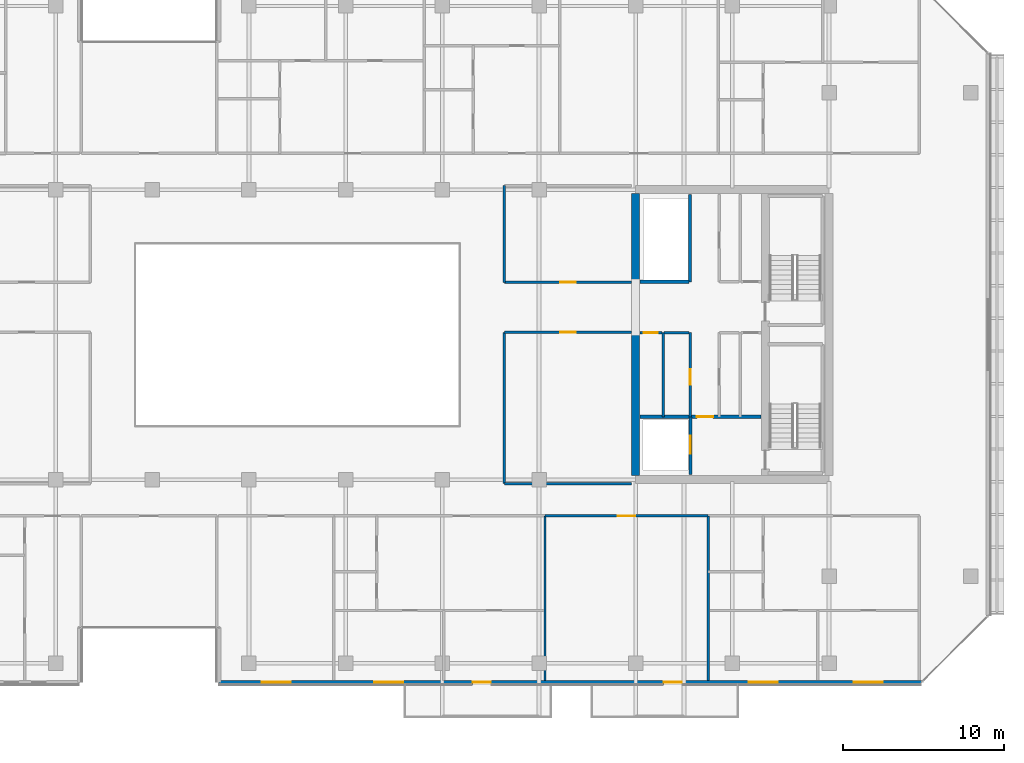
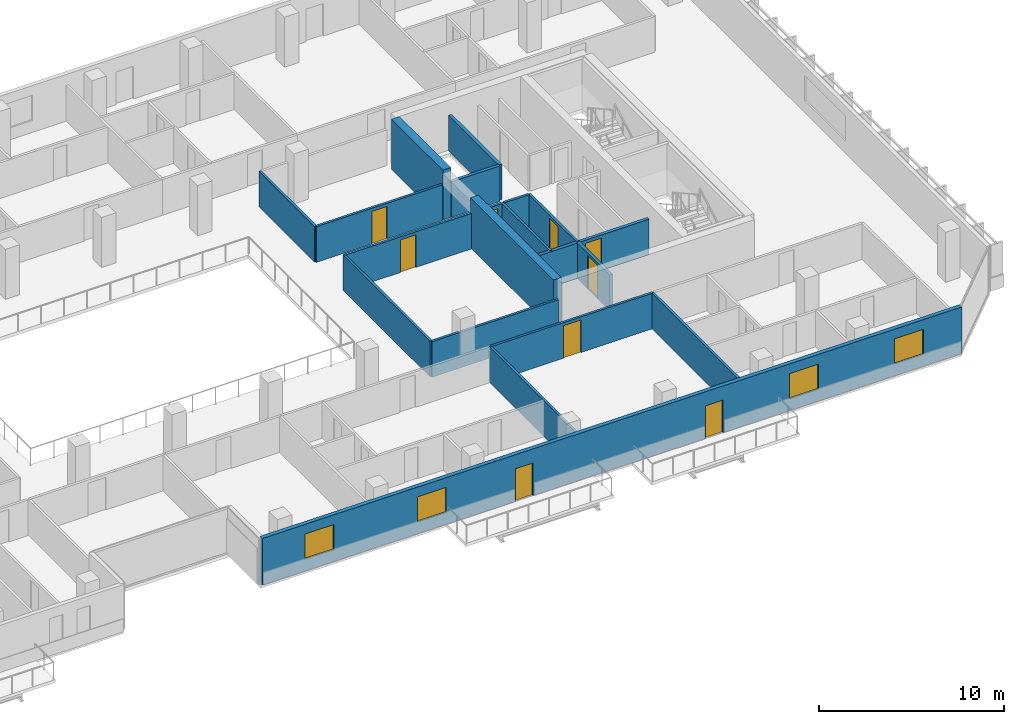
# One storey, part 21 of 29: 19 walls, 9 doors, 4 windows, 13 openings.
"""IFC4 building model written with IfcOpenShell, lengths in metres."""

from ifc_helpers import new_model, si_unit, direction, frame, frame_2d, origin, place, context, subcontext, project, spatial, rectangle, extrude, material, layer, layer_set, type_object, element, fill, save


model = new_model("IFC4")

# Units and contexts
model_context = context("Model", 3, precision=1e-05, world=origin(), true_north=direction((0.0, 1.0)))
body_context = subcontext(model_context, "Body", "Model", "MODEL_VIEW")
ifc_project = project(units=[si_unit("LENGTHUNIT", "METRE"), si_unit("AREAUNIT", "SQUARE_METRE"), si_unit("VOLUMEUNIT", "CUBIC_METRE"), si_unit("PLANEANGLEUNIT", "RADIAN"), si_unit("MASSUNIT", "GRAM", prefix="KILO")], contexts=[model_context])

# Site, building, storey
site_placement = place(None, origin())
site = spatial("IfcSite", under=ifc_project, at=site_placement, CompositionType="ELEMENT")
building_placement = place(site_placement, origin())
building = spatial("IfcBuilding", under=site, at=building_placement, Name="Tanjung Sevakor Pilgrim Tower", CompositionType="ELEMENT")
storey_placement = place(building_placement, frame((0.0, 0.0, 148.5)))
storey = spatial("IfcBuildingStorey", under=building, at=storey_placement, Name="L41", CompositionType="ELEMENT", Elevation=148.5)

# Walls
ifc_material_1 = material(Name="Concrete C60/75", Category="concrete")
ifc_layer_1 = layer(ifc_material_1, 0.5)
ifc_layer_set_1 = layer_set([ifc_layer_1], Name="WALL-CW-500")
wall_type_1 = type_object("IfcWallType", Name="WALL-CW-500", PredefinedType="SHEAR", material=ifc_layer_set_1)
wall_1_placement = place(storey_placement, frame((78.0, 24.85009765625, 0.0), z_axis=(0.0, 0.0, 1.0), x_axis=(0.0, 1.0, 0.0)))
element("IfcWall", 1, at=wall_1_placement, inside=storey, type_object=wall_type_1, Name="L41 E Core Inner Shear Wall South", PredefinedType="SHEAR", context=body_context, shape_type="SweptSolid", body=[
    extrude(rectangle(XDim=8.949951171875, YDim=0.5, at=frame_2d((4.47509765625, 0.0))), origin(), (0.0, 0.0, 1.0), 3.300048828125),
])
wall_2_placement = place(storey_placement, frame((78.0, 36.800048828125, 0.0), z_axis=(0.0, 0.0, 1.0), x_axis=(0.0, 1.0, 0.0)))
element("IfcWall", 2, at=wall_2_placement, inside=storey, type_object=wall_type_1, Name="L41 E Core Inner Shear Wall North", PredefinedType="SHEAR", context=body_context, shape_type="SweptSolid", body=[
    extrude(rectangle(XDim=5.550048828125, YDim=0.5, at=frame_2d((2.77490234375, 0.0))), origin(), (0.0, 0.0, 1.0), 3.300048828125),
])
ifc_material_2 = material(Name="Concrete C40/50", Category="concrete")
ifc_layer_2 = layer(ifc_material_2, 0.14990234375)
ifc_layer_set_2 = layer_set([ifc_layer_2], Name="WT-COMP-150")
wall_type_2 = type_object("IfcWallType", Name="WT-COMP-150", PredefinedType="SOLIDWALL", material=ifc_layer_set_2)
wall_3_placement = place(storey_placement, frame((79.699951171875, 28.5, 0.0), z_axis=(0.0, 0.0, 1.0), x_axis=(0.0, 1.0, 0.0)))
element("IfcWall", 3, at=wall_3_placement, inside=storey, type_object=wall_type_2, Name="L41 Partition IW-L41-023", PredefinedType="SOLIDWALL", context=body_context, shape_type="SweptSolid", body=[
    extrude(rectangle(XDim=5.219970703125, YDim=0.14990234375, at=frame_2d((2.60986328125, 0.0))), origin(), (0.0, 0.0, 1.0), 2.35009765625),
])
wall_4_placement = place(storey_placement, frame((79.760009765625, 33.719970703125, 0.0), z_axis=(0.0, 0.0, 1.0), x_axis=(1.0, 0.0, 0.0)))
element("IfcWall", 4, at=wall_4_placement, inside=storey, type_object=wall_type_2, Name="L41 Partition IW-L41-024", PredefinedType="SOLIDWALL", context=body_context, shape_type="SweptSolid", body=[
    extrude(rectangle(XDim=1.56005859375, YDim=0.14990234375, at=frame_2d((0.780029296875, 0.0))), origin(), (0.0, 0.0, 1.0), 2.35009765625),
])

# Wall, opening, door
wall_5_placement = place(storey_placement, frame((78.27001953125, 33.719970703125, 0.0), z_axis=(0.0, 0.0, 1.0), x_axis=(1.0, 0.0, 0.0)))
wall_5 = element("IfcWall", 5, at=wall_5_placement, inside=storey, type_object=wall_type_2, Name="L41 Partition IW-L41-025", PredefinedType="SOLIDWALL", context=body_context, shape_type="SweptSolid", body=[
    extrude(rectangle(XDim=1.369873046875, YDim=0.14990234375, at=frame_2d((0.68505859375, 0.0))), origin(), (0.0, 0.0, 1.0), 2.35009765625),
])
opening_1_placement = place(wall_5_placement, frame((0.239990234375, 0.0, 0.0)))
opening_1 = element("IfcOpeningElement", 6, at=opening_1_placement, cuts=wall_5, Name="Opening ID-FD3", PredefinedType="OPENING", context=body_context, shape_type="SweptSolid", body=[
    extrude(rectangle(XDim=0.85009765625, YDim=2.10009765625, at=frame_2d((0.425048828125, 1.050048828125))), frame((0.0, 0.0849609375, 0.0), z_axis=(0.0, -1.0, 0.0), x_axis=(1.0, 0.0, 0.0)), (0.0, 0.0, 1.0), 0.169921875),
])
ifc_material_3 = material(Name="Fire-Rated Timber", Category="wood")
door_type_1 = type_object("IfcDoorType", Name="DT-FIRE-850", OperationType="NOTDEFINED", PredefinedType="DOOR", material=ifc_material_3)
door_1_placement = place(opening_1_placement, origin())
door_1 = element("IfcDoor", 7, at=door_1_placement, inside=storey, type_object=door_type_1, Name="L41 Service Store Door", OperationType="SINGLE_SWING_RIGHT", OverallHeight=2.10009765625, OverallWidth=0.85009765625, PredefinedType="DOOR", context=body_context, shape_type="SweptSolid", body=[
    extrude(rectangle(XDim=0.85009765625, YDim=2.10009765625, at=frame_2d((0.425048828125, 1.050048828125))), frame((0.0, 0.02490234375, 0.0), z_axis=(0.0, -1.0, 0.0), x_axis=(1.0, 0.0, 0.0)), (0.0, 0.0, 1.0), 0.050048828125),
])
fill(opening_1, door_1)

wall_6_placement = place(storey_placement, frame((81.3798828125, 28.5, 0.0), z_axis=(0.0, 0.0, 1.0), x_axis=(0.0, 1.0, 0.0)))
wall_6 = element("IfcWall", 8, at=wall_6_placement, inside=storey, type_object=wall_type_2, Name="L41 Partition IW-L41-026", PredefinedType="SOLIDWALL", context=body_context, shape_type="SweptSolid", body=[
    extrude(rectangle(XDim=5.219970703125, YDim=0.14990234375, at=frame_2d((2.60986328125, 0.0))), origin(), (0.0, 0.0, 1.0), 2.35009765625),
])
opening_2_placement = place(wall_6_placement, frame((2.0, 0.0, 0.0)))
opening_2 = element("IfcOpeningElement", 9, at=opening_2_placement, cuts=wall_6, Name="Opening ID-FD2", PredefinedType="OPENING", context=body_context, shape_type="SweptSolid", body=[
    extrude(rectangle(XDim=0.949951171875, YDim=2.14990234375, at=frame_2d((0.47509765625, 1.074951171875))), frame((0.0, 0.0849609375, 0.0), z_axis=(0.0, -1.0, 0.0), x_axis=(1.0, 0.0, 0.0)), (0.0, 0.0, 1.0), 0.169921875),
])
ifc_material_4 = material(Name="Fire-Rated Timber", Category="wood")
door_type_2 = type_object("IfcDoorType", Name="DT-FIRE-950", OperationType="NOTDEFINED", PredefinedType="DOOR", material=ifc_material_4)
door_2_placement = place(opening_2_placement, origin())
door_2 = element("IfcDoor", 10, at=door_2_placement, inside=storey, type_object=door_type_2, Name="L41 Accessible WC Door", OperationType="SINGLE_SWING_LEFT", OverallHeight=2.14990234375, OverallWidth=0.949951171875, PredefinedType="DOOR", context=body_context, shape_type="SweptSolid", body=[
    extrude(rectangle(XDim=0.949951171875, YDim=2.14990234375, at=frame_2d((0.47509765625, 1.074951171875))), frame((0.0, 0.02490234375, 0.0), z_axis=(0.0, -1.0, 0.0), x_axis=(1.0, 0.0, 0.0)), (0.0, 0.0, 1.0), 0.050048828125),
])
fill(opening_2, door_2)

# Wall
wall_7_placement = place(storey_placement, frame((69.85009765625, 24.35009765625, 0.0), z_axis=(0.0, 0.0, 1.0), x_axis=(1.0, 0.0, 0.0)))
element("IfcWall", 11, at=wall_7_placement, inside=storey, type_object=wall_type_2, Name="L41 Partition IW-L41-039", PredefinedType="SOLIDWALL", context=body_context, shape_type="SweptSolid", body=[
    extrude(rectangle(XDim=7.8798828125, YDim=0.14990234375, at=frame_2d((3.93994140625, 0.0))), origin(), (0.0, 0.0, 1.0), 2.35009765625),
])

# Wall, opening, door
wall_8_placement = place(storey_placement, frame((69.85009765625, 33.75, 0.0), z_axis=(0.0, 0.0, 1.0), x_axis=(1.0, 0.0, 0.0)))
wall_8 = element("IfcWall", 12, at=wall_8_placement, inside=storey, type_object=wall_type_2, Name="L41 Partition IW-L41-040", PredefinedType="SOLIDWALL", context=body_context, shape_type="SweptSolid", body=[
    extrude(rectangle(XDim=7.8798828125, YDim=0.14990234375, at=frame_2d((3.93994140625, 0.0))), origin(), (0.0, 0.0, 1.0), 2.35009765625),
])
opening_3_placement = place(wall_8_placement, frame((3.465087890625, 0.0, 0.0)))
opening_3 = element("IfcOpeningElement", 13, at=opening_3_placement, cuts=wall_8, Name="Opening ID-RM1", PredefinedType="OPENING", context=body_context, shape_type="SweptSolid", body=[
    extrude(rectangle(XDim=0.949951171875, YDim=2.14990234375, at=frame_2d((0.47509765625, 1.074951171875))), frame((0.0, 0.0849609375, 0.0), z_axis=(0.0, -1.0, 0.0), x_axis=(1.0, 0.0, 0.0)), (0.0, 0.0, 1.0), 0.169921875),
])
ifc_material_5 = material(Name="Hardwood Timber", Category="wood")
door_type_3 = type_object("IfcDoorType", Name="DT-INT-950", OperationType="NOTDEFINED", PredefinedType="DOOR", material=ifc_material_5)
door_3_placement = place(opening_3_placement, origin())
door_3 = element("IfcDoor", 14, at=door_3_placement, inside=storey, type_object=door_type_3, Name="L41 East Inboard South Door", OperationType="SINGLE_SWING_RIGHT", OverallHeight=2.14990234375, OverallWidth=0.949951171875, PredefinedType="DOOR", context=body_context, shape_type="SweptSolid", body=[
    extrude(rectangle(XDim=0.949951171875, YDim=2.14990234375, at=frame_2d((0.47509765625, 1.074951171875))), frame((0.0, 0.02490234375, 0.0), z_axis=(0.0, -1.0, 0.0), x_axis=(1.0, 0.0, 0.0)), (0.0, 0.0, 1.0), 0.050048828125),
])
fill(opening_3, door_3)

# Wall
wall_9_placement = place(storey_placement, frame((69.85009765625, 24.35009765625, 0.0), z_axis=(0.0, 0.0, 1.0), x_axis=(0.0, 1.0, 0.0)))
element("IfcWall", 15, at=wall_9_placement, inside=storey, type_object=wall_type_2, Name="L41 Partition IW-L41-041", PredefinedType="SOLIDWALL", context=body_context, shape_type="SweptSolid", body=[
    extrude(rectangle(XDim=9.39990234375, YDim=0.14990234375, at=frame_2d((4.699951171875, 0.0))), origin(), (0.0, 0.0, 1.0), 2.35009765625),
])

# Wall, opening, door
wall_10_placement = place(storey_placement, frame((69.85009765625, 36.85009765625, 0.0), z_axis=(0.0, 0.0, 1.0), x_axis=(1.0, 0.0, 0.0)))
wall_10 = element("IfcWall", 16, at=wall_10_placement, inside=storey, type_object=wall_type_2, Name="L41 Partition IW-L41-042", PredefinedType="SOLIDWALL", context=body_context, shape_type="SweptSolid", body=[
    extrude(rectangle(XDim=7.8798828125, YDim=0.14990234375, at=frame_2d((3.93994140625, 0.0))), origin(), (0.0, 0.0, 1.0), 2.35009765625),
])
opening_4_placement = place(wall_10_placement, frame((3.465087890625, 0.0, 0.0)))
opening_4 = element("IfcOpeningElement", 17, at=opening_4_placement, cuts=wall_10, Name="Opening ID-RM1", PredefinedType="OPENING", context=body_context, shape_type="SweptSolid", body=[
    extrude(rectangle(XDim=0.949951171875, YDim=2.14990234375, at=frame_2d((0.47509765625, 1.074951171875))), frame((0.0, 0.0849609375, 0.0), z_axis=(0.0, -1.0, 0.0), x_axis=(1.0, 0.0, 0.0)), (0.0, 0.0, 1.0), 0.169921875),
])
door_4_placement = place(opening_4_placement, origin())
door_4 = element("IfcDoor", 18, at=door_4_placement, inside=storey, type_object=door_type_3, Name="L41 East Inboard North Door", OperationType="SINGLE_SWING_LEFT", OverallHeight=2.14990234375, OverallWidth=0.949951171875, PredefinedType="DOOR", context=body_context, shape_type="SweptSolid", body=[
    extrude(rectangle(XDim=0.949951171875, YDim=2.14990234375, at=frame_2d((0.47509765625, 1.074951171875))), frame((0.0, 0.02490234375, 0.0), z_axis=(0.0, -1.0, 0.0), x_axis=(1.0, 0.0, 0.0)), (0.0, 0.0, 1.0), 0.050048828125),
])
fill(opening_4, door_4)

# Walls
wall_11_placement = place(storey_placement, frame((69.85009765625, 36.85009765625, 0.0), z_axis=(0.0, 0.0, 1.0), x_axis=(0.0, 1.0, 0.0)))
element("IfcWall", 19, at=wall_11_placement, inside=storey, type_object=wall_type_2, Name="L41 Partition IW-L41-044", PredefinedType="SOLIDWALL", context=body_context, shape_type="SweptSolid", body=[
    extrude(rectangle(XDim=6.0, YDim=0.14990234375, at=frame_2d((3.0, 0.0))), origin(), (0.0, 0.0, 1.0), 2.35009765625),
])
for number, where, z_axis, x_axis, name in (
    (20, (72.37109375, 12.14990234375, 0.0), (0.0, 0.0, 1.0), (0.0, 1.0, 0.0), "L41 Partition IW-L41-066"),
    (21, (82.49658203125, 12.14990234375, 0.0), (0.0, 0.0, 1.0), (0.0, 1.0, 0.0), "L41 Partition IW-L41-072"),
):
    element("IfcWall", number, at=place(storey_placement, frame(where, z_axis=z_axis, x_axis=x_axis)), inside=storey, type_object=wall_type_2, Name=name, PredefinedType="SOLIDWALL", context=body_context, shape_type="SweptSolid", body=[
        extrude(rectangle(XDim=10.2001953125, YDim=0.14990234375, at=frame_2d((5.10009765625, 0.0))), origin(), (0.0, 0.0, 1.0), 2.35009765625),
    ])

# Wall, opening, door
wall_12_placement = place(storey_placement, frame((72.37109375, 22.35009765625, 0.0), z_axis=(0.0, 0.0, 1.0), x_axis=(1.0, 0.0, 0.0)))
wall_12 = element("IfcWall", 22, at=wall_12_placement, inside=storey, type_object=wall_type_2, Name="L41 Partition IW-L41-073", PredefinedType="SOLIDWALL", context=body_context, shape_type="SweptSolid", body=[
    extrude(rectangle(XDim=10.12548828125, YDim=0.14990234375, at=frame_2d((5.062744140625, 0.0))), origin(), (0.0, 0.0, 1.0), 2.35009765625),
])
opening_5_placement = place(wall_12_placement, frame((4.5126953125, 0.0, 0.0)))
opening_5 = element("IfcOpeningElement", 23, at=opening_5_placement, cuts=wall_12, Name="Opening ID-FD0", PredefinedType="OPENING", context=body_context, shape_type="SweptSolid", body=[
    extrude(rectangle(XDim=1.10009765625, YDim=2.14990234375, at=frame_2d((0.550048828125, 1.074951171875))), frame((0.0, 0.0849609375, 0.0), z_axis=(0.0, -1.0, 0.0), x_axis=(1.0, 0.0, 0.0)), (0.0, 0.0, 1.0), 0.169921875),
])
ifc_material_6 = material(Name="Fire-Rated Steel S355J2", Category="steel")
door_type_4 = type_object("IfcDoorType", Name="DT-FIRE-1100", OperationType="NOTDEFINED", PredefinedType="DOOR", material=ifc_material_6)
door_5_placement = place(opening_5_placement, origin())
door_5 = element("IfcDoor", 24, at=door_5_placement, inside=storey, type_object=door_type_4, Name="Communal Lounge Door", OperationType="SINGLE_SWING_LEFT", OverallHeight=2.14990234375, OverallWidth=1.10009765625, PredefinedType="DOOR", context=body_context, shape_type="SweptSolid", body=[
    extrude(rectangle(XDim=1.10009765625, YDim=2.14990234375, at=frame_2d((0.550048828125, 1.074951171875))), frame((0.0, 0.02490234375, 0.0), z_axis=(0.0, -1.0, 0.0), x_axis=(1.0, 0.0, 0.0)), (0.0, 0.0, 1.0), 0.050048828125),
])
fill(opening_5, door_5)

# Wall, openings, doors, windows
ifc_material_7 = material(Name="Precast concrete C45/55", Category="concrete")
ifc_layer_3 = layer(ifc_material_7, 0.25)
ifc_layer_set_3 = layer_set([ifc_layer_3], Name="WT-EW-STN3")
wall_type_3 = type_object("IfcWallType", Name="WT-EW-STN3", PredefinedType="SOLIDWALL", material=ifc_layer_set_3)
wall_13_placement = place(storey_placement, frame((52.125, 12.02490234375, 0.0), z_axis=(0.0, 0.0, 1.0), x_axis=(1.0, 0.0, 0.0)))
wall_13 = element("IfcWall", 25, at=wall_13_placement, inside=storey, type_object=wall_type_3, Name="L41 MAIN Exterior Wall 5", PredefinedType="SOLIDWALL", context=body_context, shape_type="SweptSolid", body=[
    extrude(rectangle(XDim=43.623291015625, YDim=0.25, at=frame_2d((21.8115234375, 0.0))), origin(), (0.0, 0.0, 1.0), 3.080078125),
])
opening_6_placement = place(wall_13_placement, frame((15.77490234375, 0.0, 0.0)))
opening_6 = element("IfcOpeningElement", 26, at=opening_6_placement, cuts=wall_13, Name="Opening ED-BAL-1100", PredefinedType="OPENING", context=body_context, shape_type="SweptSolid", body=[
    extrude(rectangle(XDim=1.10009765625, YDim=2.14990234375, at=frame_2d((0.550048828125, 1.074951171875))), frame((0.0, 0.135009765625, 0.0), z_axis=(0.0, -1.0, 0.0), x_axis=(1.0, 0.0, 0.0)), (0.0, 0.0, 1.0), 0.27001953125),
])
opening_7_placement = place(wall_13_placement, frame((27.625, 0.0, 0.0)))
opening_7 = element("IfcOpeningElement", 27, at=opening_7_placement, cuts=wall_13, Name="Opening ED-BAL-1100", PredefinedType="OPENING", context=body_context, shape_type="SweptSolid", body=[
    extrude(rectangle(XDim=1.10009765625, YDim=2.14990234375, at=frame_2d((0.550048828125, 1.074951171875))), frame((0.0, 0.135009765625, 0.0), z_axis=(0.0, -1.0, 0.0), x_axis=(1.0, 0.0, 0.0)), (0.0, 0.0, 1.0), 0.27001953125),
])
opening_8_placement = place(wall_13_placement, frame((2.668701171875, 0.0, 0.780029296875)))
opening_8 = element("IfcOpeningElement", 28, at=opening_8_placement, cuts=wall_13, Name="Opening WN-Z3-1660", PredefinedType="OPENING", context=body_context, shape_type="SweptSolid", body=[
    extrude(rectangle(XDim=1.800048828125, YDim=1.659912109375, at=frame_2d((0.89990234375, 0.830078125))), frame((0.0, 0.135009765625, 0.0), z_axis=(0.0, -1.0, 0.0), x_axis=(1.0, 0.0, 0.0)), (0.0, 0.0, 1.0), 0.27001953125),
])
opening_9_placement = place(wall_13_placement, frame((9.6591796875, 0.0, 0.780029296875)))
opening_9 = element("IfcOpeningElement", 29, at=opening_9_placement, cuts=wall_13, Name="Opening WN-Z3-1660", PredefinedType="OPENING", context=body_context, shape_type="SweptSolid", body=[
    extrude(rectangle(XDim=1.800048828125, YDim=1.659912109375, at=frame_2d((0.89990234375, 0.830078125))), frame((0.0, 0.135009765625, 0.0), z_axis=(0.0, -1.0, 0.0), x_axis=(1.0, 0.0, 0.0)), (0.0, 0.0, 1.0), 0.27001953125),
])
opening_10_placement = place(wall_13_placement, frame((32.888427734375, 0.0, 0.780029296875)))
opening_10 = element("IfcOpeningElement", 30, at=opening_10_placement, cuts=wall_13, Name="Opening WN-Z3-1660", PredefinedType="OPENING", context=body_context, shape_type="SweptSolid", body=[
    extrude(rectangle(XDim=1.800048828125, YDim=1.659912109375, at=frame_2d((0.89990234375, 0.830078125))), frame((0.0, 0.135009765625, 0.0), z_axis=(0.0, -1.0, 0.0), x_axis=(1.0, 0.0, 0.0)), (0.0, 0.0, 1.0), 0.27001953125),
])
opening_11_placement = place(wall_13_placement, frame((39.420166015625, 0.0, 0.780029296875)))
opening_11 = element("IfcOpeningElement", 31, at=opening_11_placement, cuts=wall_13, Name="Opening WN-Z3-1660", PredefinedType="OPENING", context=body_context, shape_type="SweptSolid", body=[
    extrude(rectangle(XDim=1.800048828125, YDim=1.659912109375, at=frame_2d((0.89990234375, 0.830078125))), frame((0.0, 0.135009765625, 0.0), z_axis=(0.0, -1.0, 0.0), x_axis=(1.0, 0.0, 0.0)), (0.0, 0.0, 1.0), 0.27001953125),
])
ifc_material_8 = material(Name="Anodised Aluminium and Laminated Glass", Category="aluminium")
door_type_5 = type_object("IfcDoorType", Name="DTYP-ED-BAL-1100", OperationType="NOTDEFINED", PredefinedType="DOOR", material=ifc_material_8)
door_6_placement = place(opening_6_placement, frame((1.10009765625, 0.0, 0.0), z_axis=(0.0, 0.0, 1.0), x_axis=(-1.0, 0.0, 0.0)))
door_6 = element("IfcDoor", 32, at=door_6_placement, inside=storey, type_object=door_type_5, Name="L41 Balcony Door MAIN-S2", OperationType="SINGLE_SWING_LEFT", OverallHeight=2.14990234375, OverallWidth=1.10009765625, PredefinedType="DOOR", context=body_context, shape_type="SweptSolid", body=[
    extrude(rectangle(XDim=1.10009765625, YDim=2.14990234375, at=frame_2d((0.550048828125, 1.074951171875))), frame((0.0, 0.02490234375, 0.0), z_axis=(0.0, -1.0, 0.0), x_axis=(1.0, 0.0, 0.0)), (0.0, 0.0, 1.0), 0.050048828125),
])
fill(opening_6, door_6)
door_7_placement = place(opening_7_placement, frame((1.10009765625, 0.0, 0.0), z_axis=(0.0, 0.0, 1.0), x_axis=(-1.0, 0.0, 0.0)))
door_7 = element("IfcDoor", 33, at=door_7_placement, inside=storey, type_object=door_type_5, Name="L41 Balcony Door MAIN-S3", OperationType="SINGLE_SWING_RIGHT", OverallHeight=2.14990234375, OverallWidth=1.10009765625, PredefinedType="DOOR", context=body_context, shape_type="SweptSolid", body=[
    extrude(rectangle(XDim=1.10009765625, YDim=2.14990234375, at=frame_2d((0.550048828125, 1.074951171875))), frame((0.0, 0.02490234375, 0.0), z_axis=(0.0, -1.0, 0.0), x_axis=(1.0, 0.0, 0.0)), (0.0, 0.0, 1.0), 0.050048828125),
])
fill(opening_7, door_7)
ifc_material_9 = material(Name="Thermally Broken Aluminium and Low-E Glass", Category="aluminium")
window_type = type_object("IfcWindowType", Name="WTYP-WN-Z3-1660", PartitioningType="DOUBLE_PANEL_VERTICAL", PredefinedType="WINDOW", material=ifc_material_9)
window_1_placement = place(opening_8_placement, origin())
window_1 = element("IfcWindow", 34, at=window_1_placement, inside=storey, type_object=window_type, Name="L41 Facade Window 01", OverallHeight=1.659912109375, OverallWidth=1.800048828125, PartitioningType="SINGLE_PANEL", PredefinedType="WINDOW", context=body_context, shape_type="SweptSolid", body=[
    extrude(rectangle(XDim=1.800048828125, YDim=1.659912109375, at=frame_2d((0.89990234375, 0.830078125))), frame((0.0, 0.030029296875, 0.0), z_axis=(0.0, -1.0, 0.0), x_axis=(1.0, 0.0, 0.0)), (0.0, 0.0, 1.0), 0.06005859375),
])
fill(opening_8, window_1)
window_2_placement = place(opening_9_placement, origin())
window_2 = element("IfcWindow", 35, at=window_2_placement, inside=storey, type_object=window_type, Name="L41 Facade Window 02", OverallHeight=1.659912109375, OverallWidth=1.800048828125, PartitioningType="SINGLE_PANEL", PredefinedType="WINDOW", context=body_context, shape_type="SweptSolid", body=[
    extrude(rectangle(XDim=1.800048828125, YDim=1.659912109375, at=frame_2d((0.89990234375, 0.830078125))), frame((0.0, 0.030029296875, 0.0), z_axis=(0.0, -1.0, 0.0), x_axis=(1.0, 0.0, 0.0)), (0.0, 0.0, 1.0), 0.06005859375),
])
fill(opening_9, window_2)
window_3_placement = place(opening_10_placement, origin())
window_3 = element("IfcWindow", 36, at=window_3_placement, inside=storey, type_object=window_type, Name="L41 Facade Window 03", OverallHeight=1.659912109375, OverallWidth=1.800048828125, PartitioningType="SINGLE_PANEL", PredefinedType="WINDOW", context=body_context, shape_type="SweptSolid", body=[
    extrude(rectangle(XDim=1.800048828125, YDim=1.659912109375, at=frame_2d((0.89990234375, 0.830078125))), frame((0.0, 0.030029296875, 0.0), z_axis=(0.0, -1.0, 0.0), x_axis=(1.0, 0.0, 0.0)), (0.0, 0.0, 1.0), 0.06005859375),
])
fill(opening_10, window_3)
window_4_placement = place(opening_11_placement, origin())
window_4 = element("IfcWindow", 37, at=window_4_placement, inside=storey, type_object=window_type, Name="L41 Facade Window 04", OverallHeight=1.659912109375, OverallWidth=1.800048828125, PartitioningType="SINGLE_PANEL", PredefinedType="WINDOW", context=body_context, shape_type="SweptSolid", body=[
    extrude(rectangle(XDim=1.800048828125, YDim=1.659912109375, at=frame_2d((0.89990234375, 0.830078125))), frame((0.0, 0.030029296875, 0.0), z_axis=(0.0, -1.0, 0.0), x_axis=(1.0, 0.0, 0.0)), (0.0, 0.0, 1.0), 0.06005859375),
])
fill(opening_11, window_4)

# Wall, opening, door
ifc_material_10 = material(Name="Concrete C40/50", Category="concrete")
ifc_layer_4 = layer(ifc_material_10, 0.199951171875)
ifc_layer_set_4 = layer_set([ifc_layer_4], Name="WT-FPRT-200")
wall_type_4 = type_object("IfcWallType", Name="WT-FPRT-200", PredefinedType="SOLIDWALL", material=ifc_layer_set_4)
wall_14_placement = place(storey_placement, frame((81.39990234375, 24.919921875, 0.0), z_axis=(0.0, 0.0, 1.0), x_axis=(0.0, 1.0, 0.0)))
wall_14 = element("IfcWall", 38, at=wall_14_placement, inside=storey, type_object=wall_type_4, Name="L41 Partition IW-L41-017", PredefinedType="SOLIDWALL", context=body_context, shape_type="SweptSolid", body=[
    extrude(rectangle(XDim=3.580078125, YDim=0.199951171875, at=frame_2d((1.7900390625, 0.0))), origin(), (0.0, 0.0, 1.0), 2.35009765625),
])
opening_12_placement = place(wall_14_placement, frame((1.300048828125, 0.0, 0.0)))
opening_12 = element("IfcOpeningElement", 39, at=opening_12_placement, cuts=wall_14, Name="Opening LD-1100", PredefinedType="OPENING", context=body_context, shape_type="SweptSolid", body=[
    extrude(rectangle(XDim=1.10009765625, YDim=2.199951171875, at=frame_2d((0.550048828125, 1.10009765625))), frame((0.0, 0.10986328125, 0.0), z_axis=(0.0, -1.0, 0.0), x_axis=(1.0, 0.0, 0.0)), (0.0, 0.0, 1.0), 0.219970703125),
])
ifc_material_11 = material(Name="Brushed Stainless Steel S355J2", Category="steel")
door_type_6 = type_object("IfcDoorType", Name="DT-LIFT-1100", OperationType="SLIDING_TO_LEFT", PredefinedType="DOOR", material=ifc_material_11)
door_8_placement = place(opening_12_placement, origin())
door_8 = element("IfcDoor", 40, at=door_8_placement, inside=storey, type_object=door_type_6, Name="LD-FL-E", OperationType="SLIDING_TO_LEFT", OverallHeight=2.199951171875, OverallWidth=1.10009765625, PredefinedType="DOOR", context=body_context, shape_type="SweptSolid", body=[
    extrude(rectangle(XDim=1.10009765625, YDim=2.199951171875, at=frame_2d((0.550048828125, 1.10009765625))), frame((0.0, 0.02490234375, 0.0), z_axis=(0.0, -1.0, 0.0), x_axis=(1.0, 0.0, 0.0)), (0.0, 0.0, 1.0), 0.050048828125),
])
fill(opening_12, door_8)

wall_15_placement = place(storey_placement, frame((78.27001953125, 28.5, 0.0), z_axis=(0.0, 0.0, 1.0), x_axis=(1.0, 0.0, 0.0)))
wall_15 = element("IfcWall", 41, at=wall_15_placement, inside=storey, type_object=wall_type_4, Name="L41 Partition IW-L41-018", PredefinedType="SOLIDWALL", context=body_context, shape_type="SweptSolid", body=[
    extrude(rectangle(XDim=7.510009765625, YDim=0.199951171875, at=frame_2d((3.7548828125, 0.0))), origin(), (0.0, 0.0, 1.0), 2.35009765625),
])
opening_13_placement = place(wall_15_placement, frame((3.530029296875, 0.0, 0.0)))
opening_13 = element("IfcOpeningElement", 42, at=opening_13_placement, cuts=wall_15, Name="Opening ID-FD1", PredefinedType="OPENING", context=body_context, shape_type="SweptSolid", body=[
    extrude(rectangle(XDim=1.0, YDim=2.14990234375, at=frame_2d((0.5, 1.074951171875))), frame((0.0, 0.10986328125, 0.0), z_axis=(0.0, -1.0, 0.0), x_axis=(1.0, 0.0, 0.0)), (0.0, 0.0, 1.0), 0.219970703125),
])
ifc_material_12 = material(Name="Fire-Rated Steel S355J2", Category="steel")
door_type_7 = type_object("IfcDoorType", Name="DT-FIRE-1000", OperationType="NOTDEFINED", PredefinedType="DOOR", material=ifc_material_12)
door_9_placement = place(opening_13_placement, origin())
door_9 = element("IfcDoor", 43, at=door_9_placement, inside=storey, type_object=door_type_7, Name="Fire Lobby Door E", OperationType="SINGLE_SWING_LEFT", OverallHeight=2.14990234375, OverallWidth=1.0, PredefinedType="DOOR", context=body_context, shape_type="SweptSolid", body=[
    extrude(rectangle(XDim=1.0, YDim=2.14990234375, at=frame_2d((0.5, 1.074951171875))), frame((0.0, 0.02490234375, 0.0), z_axis=(0.0, -1.0, 0.0), x_axis=(1.0, 0.0, 0.0)), (0.0, 0.0, 1.0), 0.050048828125),
])
fill(opening_13, door_9)

# Walls
wall_16_placement = place(storey_placement, frame((78.27001953125, 36.8798828125, 0.0), z_axis=(0.0, 0.0, 1.0), x_axis=(1.0, 0.0, 0.0)))
element("IfcWall", 44, at=wall_16_placement, inside=storey, type_object=wall_type_4, Name="L41 Partition IW-L41-031", PredefinedType="SOLIDWALL", context=body_context, shape_type="SweptSolid", body=[
    extrude(rectangle(XDim=3.050048828125, YDim=0.199951171875, at=frame_2d((1.52490234375, 0.0))), origin(), (0.0, 0.0, 1.0), 2.35009765625),
])
wall_17_placement = place(storey_placement, frame((81.3798828125, 36.8798828125, 0.0), z_axis=(0.0, 0.0, 1.0), x_axis=(0.0, 1.0, 0.0)))
element("IfcWall", 45, at=wall_17_placement, inside=storey, type_object=wall_type_4, Name="L41 Partition IW-L41-032", PredefinedType="SOLIDWALL", context=body_context, shape_type="SweptSolid", body=[
    extrude(rectangle(XDim=5.420166015625, YDim=0.199951171875, at=frame_2d((2.7099609375, 0.0))), origin(), (0.0, 0.0, 1.0), 2.35009765625),
])

save(model, "model.ifc")
